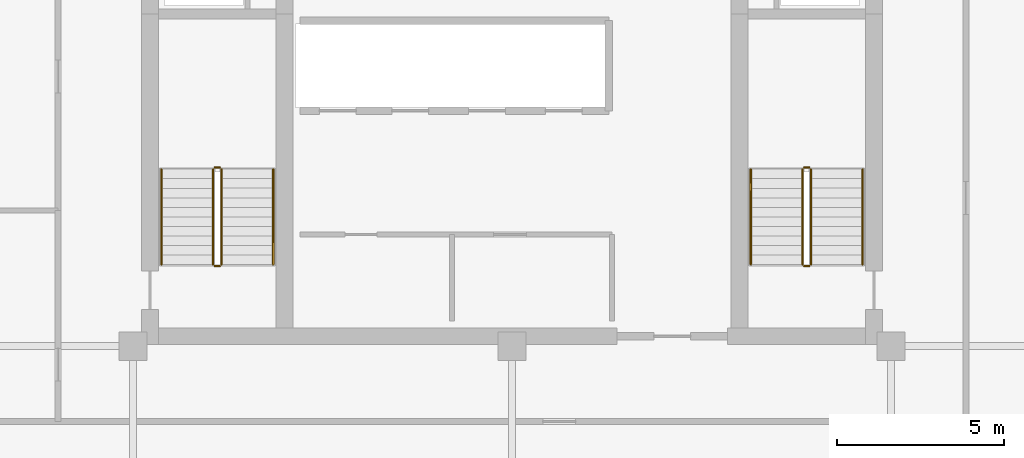
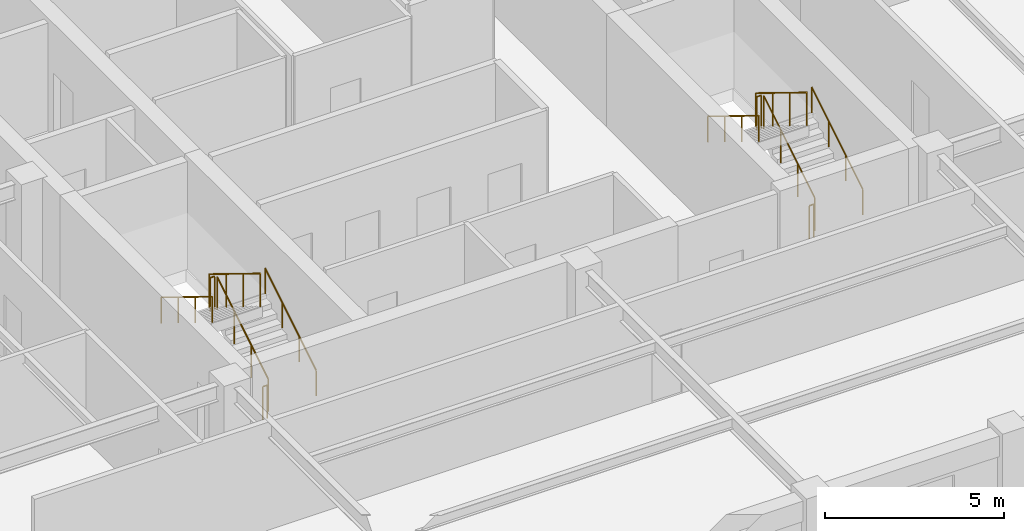
# One storey, part 9 of 9: 12 railings.
"""IFC4 building model written with IfcOpenShell, lengths in metres."""

from ifc_helpers import new_model, si_unit, direction, frame, origin, origin_2d, place, context, subcontext, project, spatial, circle, extrude, material, type_object, element, save


model = new_model("IFC4")

# Units and contexts
model_context = context("Model", 3, precision=1e-05, world=origin(), true_north=direction((0.0, 1.0)))
body_context = subcontext(model_context, "Body", "Model", "MODEL_VIEW")
ifc_project = project(units=[si_unit("LENGTHUNIT", "METRE"), si_unit("AREAUNIT", "SQUARE_METRE"), si_unit("VOLUMEUNIT", "CUBIC_METRE"), si_unit("PLANEANGLEUNIT", "RADIAN"), si_unit("MASSUNIT", "GRAM", prefix="KILO")], contexts=[model_context])

# Site, building, storey
site_placement = place(None, origin())
site = spatial("IfcSite", under=ifc_project, at=site_placement, CompositionType="ELEMENT")
building_placement = place(site_placement, origin())
building = spatial("IfcBuilding", under=site, at=building_placement, Name="Nhamokura Convention Tower", CompositionType="ELEMENT")
storey_placement = place(building_placement, frame((0.0, 0.0, 190.75)))
storey = spatial("IfcBuildingStorey", under=building, at=storey_placement, Name="L46", CompositionType="ELEMENT", Elevation=190.75)

# Railings
ifc_material_1 = material(Name="Anodised bronze stainless steel", Category="steel")
railing_type_1 = type_object("IfcRailingType", Name="StairWallHandrail_900", PredefinedType="HANDRAIL", material=ifc_material_1)
railing_1_placement = place(storey_placement, frame((24.85009765625, 23.10009765625, 0.175048828125)))
element("IfcRailing", 1, at=railing_1_placement, inside=storey, type_object=railing_type_1, Name="L46 ST-01 stair handrail 1", PredefinedType="HANDRAIL", context=body_context, shape_type="SweptSolid", body=[
    extrude(circle(Radius=0.02392578125, at=origin_2d()), frame((0.0, 0.0, 0.8759765625), z_axis=(0.0, 0.852159232446, 0.523282564737), x_axis=(-1.0, 0.0, 0.0)), (0.0, 0.0, 1.0), 3.34423828125),
    extrude(circle(Radius=0.02099609375, at=origin_2d()), origin(), (0.0, 0.0, 1.0), 0.851806640625),
    extrude(circle(Radius=0.02099609375, at=origin_2d()), frame((0.0, 0.949951171875, 0.583251953125)), (0.0, 0.0, 1.0), 0.851806640625),
    extrude(circle(Radius=0.02099609375, at=origin_2d()), frame((0.0, 1.89990234375, 1.166748046875)), (0.0, 0.0, 1.0), 0.851806640625),
    extrude(circle(Radius=0.02099609375, at=origin_2d()), frame((0.0, 2.849853515625, 1.75)), (0.0, 0.0, 1.0), 0.851806640625),
])
railing_2_placement = place(storey_placement, frame((21.5, 25.949951171875, 2.10009765625)))
element("IfcRailing", 2, at=railing_2_placement, inside=storey, type_object=railing_type_1, Name="L46 ST-01 stair handrail 2", PredefinedType="HANDRAIL", context=body_context, shape_type="SweptSolid", body=[
    extrude(circle(Radius=0.02392578125, at=origin_2d()), frame((0.0, 0.0, 0.8759765625), z_axis=(0.0, -0.852159232446, 0.523282564737), x_axis=(1.0, 0.0, 0.0)), (0.0, 0.0, 1.0), 3.34423828125),
    extrude(circle(Radius=0.02099609375, at=origin_2d()), origin(), (0.0, 0.0, 1.0), 0.851806640625),
    extrude(circle(Radius=0.02099609375, at=origin_2d()), frame((0.0, -0.949951171875, 0.583251953125)), (0.0, 0.0, 1.0), 0.851806640625),
    extrude(circle(Radius=0.02099609375, at=origin_2d()), frame((0.0, -1.89990234375, 1.166748046875)), (0.0, 0.0, 1.0), 0.851806640625),
    extrude(circle(Radius=0.02099609375, at=origin_2d()), frame((0.0, -2.849853515625, 1.75)), (0.0, 0.0, 1.0), 0.851806640625),
])
railing_3_placement = place(storey_placement, frame((42.5, 23.10009765625, 0.175048828125)))
element("IfcRailing", 3, at=railing_3_placement, inside=storey, type_object=railing_type_1, Name="L46 ST-02 stair handrail 1", PredefinedType="HANDRAIL", context=body_context, shape_type="SweptSolid", body=[
    extrude(circle(Radius=0.02392578125, at=origin_2d()), frame((0.0, 0.0, 0.8759765625), z_axis=(0.0, 0.852159232446, 0.523282564737), x_axis=(-1.0, 0.0, 0.0)), (0.0, 0.0, 1.0), 3.34423828125),
    extrude(circle(Radius=0.02099609375, at=origin_2d()), origin(), (0.0, 0.0, 1.0), 0.851806640625),
    extrude(circle(Radius=0.02099609375, at=origin_2d()), frame((0.0, 0.949951171875, 0.583251953125)), (0.0, 0.0, 1.0), 0.851806640625),
    extrude(circle(Radius=0.02099609375, at=origin_2d()), frame((0.0, 1.89990234375, 1.166748046875)), (0.0, 0.0, 1.0), 0.851806640625),
    extrude(circle(Radius=0.02099609375, at=origin_2d()), frame((0.0, 2.849853515625, 1.75)), (0.0, 0.0, 1.0), 0.851806640625),
])
railing_4_placement = place(storey_placement, frame((39.14990234375, 25.949951171875, 2.10009765625)))
element("IfcRailing", 4, at=railing_4_placement, inside=storey, type_object=railing_type_1, Name="L46 ST-02 stair handrail 2", PredefinedType="HANDRAIL", context=body_context, shape_type="SweptSolid", body=[
    extrude(circle(Radius=0.02392578125, at=origin_2d()), frame((0.0, 0.0, 0.8759765625), z_axis=(0.0, -0.852159232446, 0.523282564737), x_axis=(1.0, 0.0, 0.0)), (0.0, 0.0, 1.0), 3.34423828125),
    extrude(circle(Radius=0.02099609375, at=origin_2d()), origin(), (0.0, 0.0, 1.0), 0.851806640625),
    extrude(circle(Radius=0.02099609375, at=origin_2d()), frame((0.0, -0.949951171875, 0.583251953125)), (0.0, 0.0, 1.0), 0.851806640625),
    extrude(circle(Radius=0.02099609375, at=origin_2d()), frame((0.0, -1.89990234375, 1.166748046875)), (0.0, 0.0, 1.0), 0.851806640625),
    extrude(circle(Radius=0.02099609375, at=origin_2d()), frame((0.0, -2.849853515625, 1.75)), (0.0, 0.0, 1.0), 0.851806640625),
])
ifc_material_2 = material(Name="Painted tubular steel", Category="steel")
railing_type_2 = type_object("IfcRailingType", Name="StairWellGuardrail_1150", PredefinedType="GUARDRAIL", material=ifc_material_2)
railing_5_placement = place(storey_placement, frame((23.300048828125, 23.10009765625, 0.175048828125)))
element("IfcRailing", 5, at=railing_5_placement, inside=storey, type_object=railing_type_2, Name="L46 ST-01 stair guard 1", PredefinedType="GUARDRAIL", context=body_context, shape_type="SweptSolid", body=[
    extrude(circle(Radius=0.02392578125, at=origin_2d()), frame((0.0, 0.0, 1.1259765625), z_axis=(0.0, 0.852159232446, 0.523282564737), x_axis=(-1.0, 0.0, 0.0)), (0.0, 0.0, 1.0), 3.34423828125),
    extrude(circle(Radius=0.02099609375, at=origin_2d()), origin(), (0.0, 0.0, 1.0), 1.101806640625),
    extrude(circle(Radius=0.02099609375, at=origin_2d()), frame((0.0, 0.949951171875, 0.583251953125)), (0.0, 0.0, 1.0), 1.101806640625),
    extrude(circle(Radius=0.02099609375, at=origin_2d()), frame((0.0, 1.89990234375, 1.166748046875)), (0.0, 0.0, 1.0), 1.101806640625),
    extrude(circle(Radius=0.02099609375, at=origin_2d()), frame((0.0, 2.849853515625, 1.75)), (0.0, 0.0, 1.0), 1.101806640625),
])
railing_6_placement = place(storey_placement, frame((23.25, 26.0, 1.925048828125)))
element("IfcRailing", 6, at=railing_6_placement, inside=storey, type_object=railing_type_2, Name="L46 ST-01 stair guard 2", PredefinedType="GUARDRAIL", context=body_context, shape_type="SweptSolid", body=[
    extrude(circle(Radius=0.02392578125, at=origin_2d()), frame((0.0, 0.0, 1.1259765625), z_axis=(-1.0, 0.0, 0.0), x_axis=(0.0, -1.0, 0.0)), (0.0, 0.0, 1.0), 0.14990234375),
    extrude(circle(Radius=0.02099609375, at=origin_2d()), origin(), (0.0, 0.0, 1.0), 1.101806640625),
    extrude(circle(Radius=0.02099609375, at=origin_2d()), frame((-0.14990234375, 0.0, 0.0)), (0.0, 0.0, 1.0), 1.101806640625),
])
railing_7_placement = place(storey_placement, frame((23.050048828125, 25.949951171875, 2.10009765625)))
element("IfcRailing", 7, at=railing_7_placement, inside=storey, type_object=railing_type_2, Name="L46 ST-01 stair guard 3", PredefinedType="GUARDRAIL", context=body_context, shape_type="SweptSolid", body=[
    extrude(circle(Radius=0.02392578125, at=origin_2d()), frame((0.0, 0.0, 1.1259765625), z_axis=(0.0, -0.852159232446, 0.523282564737), x_axis=(1.0, 0.0, 0.0)), (0.0, 0.0, 1.0), 3.34423828125),
    extrude(circle(Radius=0.02099609375, at=origin_2d()), origin(), (0.0, 0.0, 1.0), 1.101806640625),
    extrude(circle(Radius=0.02099609375, at=origin_2d()), frame((0.0, -0.949951171875, 0.583251953125)), (0.0, 0.0, 1.0), 1.101806640625),
    extrude(circle(Radius=0.02099609375, at=origin_2d()), frame((0.0, -1.89990234375, 1.166748046875)), (0.0, 0.0, 1.0), 1.101806640625),
    extrude(circle(Radius=0.02099609375, at=origin_2d()), frame((0.0, -2.849853515625, 1.75)), (0.0, 0.0, 1.0), 1.101806640625),
])
railing_8_placement = place(storey_placement, frame((23.25, 23.050048828125, 0.0)))
element("IfcRailing", 8, at=railing_8_placement, inside=storey, type_object=railing_type_2, Name="L46 ST-01 stair guard 4", PredefinedType="GUARDRAIL", context=body_context, shape_type="SweptSolid", body=[
    extrude(circle(Radius=0.02392578125, at=origin_2d()), frame((0.0, 0.0, 1.1259765625), z_axis=(-1.0, 0.0, 0.0), x_axis=(0.0, -1.0, 0.0)), (0.0, 0.0, 1.0), 0.14990234375),
    extrude(circle(Radius=0.02099609375, at=origin_2d()), origin(), (0.0, 0.0, 1.0), 1.101806640625),
    extrude(circle(Radius=0.02099609375, at=origin_2d()), frame((-0.14990234375, 0.0, 0.0)), (0.0, 0.0, 1.0), 1.101806640625),
])
railing_9_placement = place(storey_placement, frame((40.949951171875, 23.10009765625, 0.175048828125)))
element("IfcRailing", 9, at=railing_9_placement, inside=storey, type_object=railing_type_2, Name="L46 ST-02 stair guard 1", PredefinedType="GUARDRAIL", context=body_context, shape_type="SweptSolid", body=[
    extrude(circle(Radius=0.02392578125, at=origin_2d()), frame((0.0, 0.0, 1.1259765625), z_axis=(0.0, 0.852159232446, 0.523282564737), x_axis=(-1.0, 0.0, 0.0)), (0.0, 0.0, 1.0), 3.34423828125),
    extrude(circle(Radius=0.02099609375, at=origin_2d()), origin(), (0.0, 0.0, 1.0), 1.101806640625),
    extrude(circle(Radius=0.02099609375, at=origin_2d()), frame((0.0, 0.949951171875, 0.583251953125)), (0.0, 0.0, 1.0), 1.101806640625),
    extrude(circle(Radius=0.02099609375, at=origin_2d()), frame((0.0, 1.89990234375, 1.166748046875)), (0.0, 0.0, 1.0), 1.101806640625),
    extrude(circle(Radius=0.02099609375, at=origin_2d()), frame((0.0, 2.849853515625, 1.75)), (0.0, 0.0, 1.0), 1.101806640625),
])
railing_10_placement = place(storey_placement, frame((40.89990234375, 26.0, 1.925048828125)))
element("IfcRailing", 10, at=railing_10_placement, inside=storey, type_object=railing_type_2, Name="L46 ST-02 stair guard 2", PredefinedType="GUARDRAIL", context=body_context, shape_type="SweptSolid", body=[
    extrude(circle(Radius=0.02392578125, at=origin_2d()), frame((0.0, 0.0, 1.1259765625), z_axis=(-1.0, 0.0, 0.0), x_axis=(0.0, -1.0, 0.0)), (0.0, 0.0, 1.0), 0.14990234375),
    extrude(circle(Radius=0.02099609375, at=origin_2d()), origin(), (0.0, 0.0, 1.0), 1.101806640625),
    extrude(circle(Radius=0.02099609375, at=origin_2d()), frame((-0.14990234375, 0.0, 0.0)), (0.0, 0.0, 1.0), 1.101806640625),
])
railing_11_placement = place(storey_placement, frame((40.699951171875, 25.949951171875, 2.10009765625)))
element("IfcRailing", 11, at=railing_11_placement, inside=storey, type_object=railing_type_2, Name="L46 ST-02 stair guard 3", PredefinedType="GUARDRAIL", context=body_context, shape_type="SweptSolid", body=[
    extrude(circle(Radius=0.02392578125, at=origin_2d()), frame((0.0, 0.0, 1.1259765625), z_axis=(0.0, -0.852159232446, 0.523282564737), x_axis=(1.0, 0.0, 0.0)), (0.0, 0.0, 1.0), 3.34423828125),
    extrude(circle(Radius=0.02099609375, at=origin_2d()), origin(), (0.0, 0.0, 1.0), 1.101806640625),
    extrude(circle(Radius=0.02099609375, at=origin_2d()), frame((0.0, -0.949951171875, 0.583251953125)), (0.0, 0.0, 1.0), 1.101806640625),
    extrude(circle(Radius=0.02099609375, at=origin_2d()), frame((0.0, -1.89990234375, 1.166748046875)), (0.0, 0.0, 1.0), 1.101806640625),
    extrude(circle(Radius=0.02099609375, at=origin_2d()), frame((0.0, -2.849853515625, 1.75)), (0.0, 0.0, 1.0), 1.101806640625),
])
railing_12_placement = place(storey_placement, frame((40.89990234375, 23.050048828125, 0.0)))
element("IfcRailing", 12, at=railing_12_placement, inside=storey, type_object=railing_type_2, Name="L46 ST-02 stair guard 4", PredefinedType="GUARDRAIL", context=body_context, shape_type="SweptSolid", body=[
    extrude(circle(Radius=0.02392578125, at=origin_2d()), frame((0.0, 0.0, 1.1259765625), z_axis=(-1.0, 0.0, 0.0), x_axis=(0.0, -1.0, 0.0)), (0.0, 0.0, 1.0), 0.14990234375),
    extrude(circle(Radius=0.02099609375, at=origin_2d()), origin(), (0.0, 0.0, 1.0), 1.101806640625),
    extrude(circle(Radius=0.02099609375, at=origin_2d()), frame((-0.14990234375, 0.0, 0.0)), (0.0, 0.0, 1.0), 1.101806640625),
])

save(model, "model.ifc")
